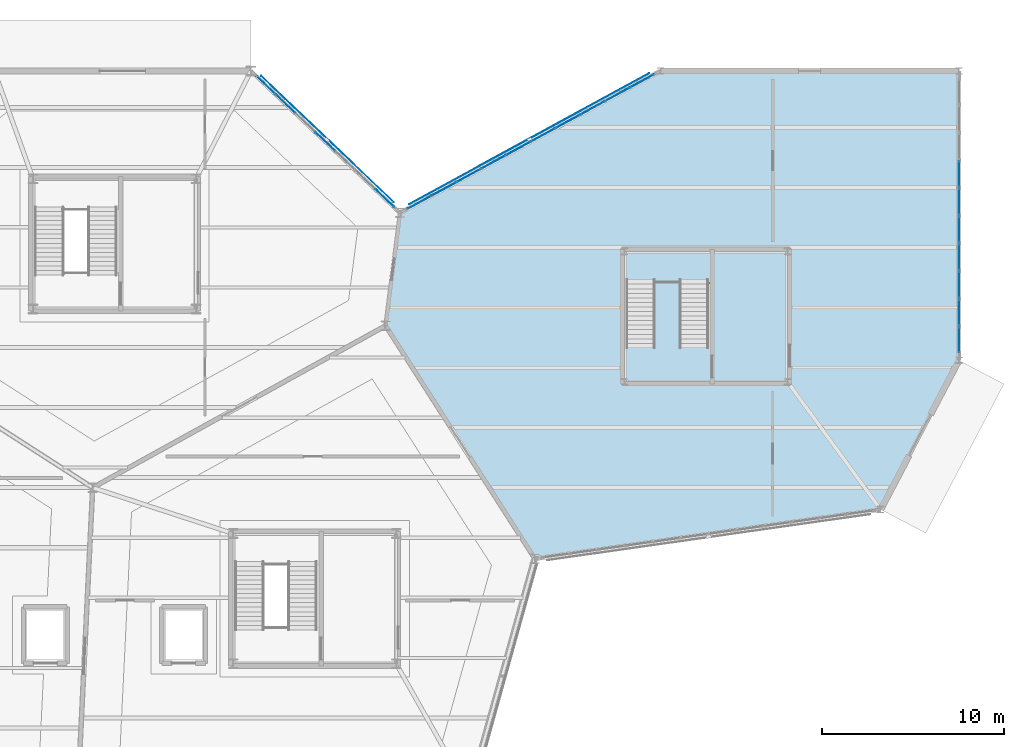
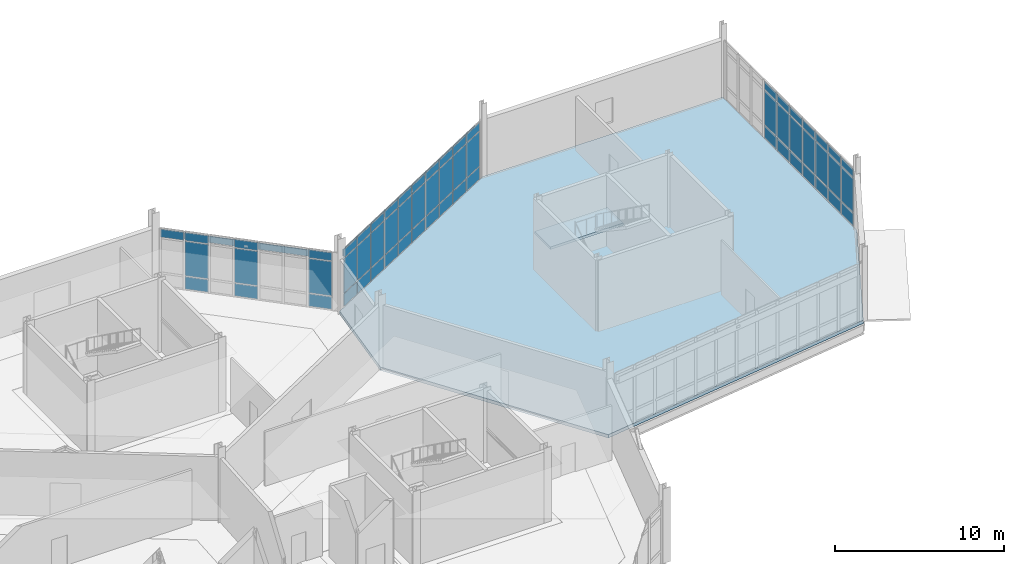
# One storey, part 83 of 113: 63 plates, 2 slabs, 4 elements without a shape of their own.
"""IFC4 building model written with IfcOpenShell, lengths in metres."""

from ifc_helpers import new_model, si_unit, direction, frame, origin, origin_2d, place, context, subcontext, project, spatial, polyline, rectangle, outline, extrude, material, layer, layer_set, type_object, element, aggregate, save


model = new_model("IFC4")

# Units and contexts
model_context = context("Model", 3, precision=1e-05, world=origin(), true_north=direction((0.0, 1.0)))
body_context = subcontext(model_context, "Body", "Model", "MODEL_VIEW")
ifc_project = project(units=[si_unit("LENGTHUNIT", "METRE"), si_unit("AREAUNIT", "SQUARE_METRE"), si_unit("VOLUMEUNIT", "CUBIC_METRE"), si_unit("PLANEANGLEUNIT", "RADIAN"), si_unit("MASSUNIT", "GRAM", prefix="KILO")], contexts=[model_context])

# Site, building, storey
site_placement = place(None, origin())
site = spatial("IfcSite", under=ifc_project, at=site_placement, CompositionType="ELEMENT")
building_placement = place(site_placement, origin())
building = spatial("IfcBuilding", under=site, at=building_placement, Name="Tameran Prism Museum", CompositionType="ELEMENT")
storey_placement = place(building_placement, origin())
storey = spatial("IfcBuildingStorey", under=building, at=storey_placement, Name="L00", CompositionType="ELEMENT", Elevation=0.0)

# Curtain wall, plates
ifc_material_1 = material(Name="Anodised Aluminium 6063-T6 and Cyclone Solar Glass", Category="aluminium")
curtain_wall_type_1 = type_object("IfcCurtainWallType", Name="CW-FAC-1520x422", PredefinedType="USERDEFINED", material=ifc_material_1)
curtain_wall_1_placement = place(storey_placement, origin())
curtain_wall_1 = element("IfcCurtainWall", 1, at=curtain_wall_1_placement, inside=storey, type_object=curtain_wall_type_1, Name="Unitised Curtain Wall CW-026", ObjectType="UNITISED CURTAIN WALL", PredefinedType="USERDEFINED")
ifc_material_2 = material(Name="Low-E Laminated Solar Glass", Category="glass")
ifc_layer_1 = layer(ifc_material_2, 0.028076171875)
ifc_layer_set_1 = layer_set([ifc_layer_1])
plate_type_1 = type_object("IfcPlateType", Name="CW-PNL-G28", PredefinedType="CURTAIN_PANEL", material=ifc_layer_set_1)
plate_1_placement = place(storey_placement, frame((166.39990234375, 106.330078125, 0.080078125), z_axis=(0.0, 0.0, 1.0), x_axis=(0.0, -1.0, 0.0)))
plate_1 = element("IfcPlate", 2, at=plate_1_placement, type_object=plate_type_1, Name="CW-026 panel 4.1", PredefinedType="CURTAIN_PANEL", context=body_context, shape_type="SweptSolid", body=[
    extrude(rectangle(XDim=1.43994140625, YDim=0.028076171875, at=origin_2d()), origin(), (0.0, 0.0, 1.0), 0.8798828125),
])
plate_2_placement = place(storey_placement, frame((166.39990234375, 106.330078125, 1.0400390625), z_axis=(0.0, 0.0, 1.0), x_axis=(0.0, -1.0, 0.0)))
plate_2 = element("IfcPlate", 3, at=plate_2_placement, type_object=plate_type_1, Name="CW-026 panel 4.2", PredefinedType="CURTAIN_PANEL", context=body_context, shape_type="SweptSolid", body=[
    extrude(rectangle(XDim=1.43994140625, YDim=0.028076171875, at=origin_2d()), origin(), (0.0, 0.0, 1.0), 2.4599609375),
])
plate_3_placement = place(storey_placement, frame((166.39990234375, 106.330078125, 3.580078125), z_axis=(0.0, 0.0, 1.0), x_axis=(0.0, -1.0, 0.0)))
plate_3 = element("IfcPlate", 4, at=plate_3_placement, type_object=plate_type_1, Name="CW-026 panel 4.3", PredefinedType="CURTAIN_PANEL", context=body_context, shape_type="SweptSolid", body=[
    extrude(rectangle(XDim=1.43994140625, YDim=0.028076171875, at=origin_2d()), origin(), (0.0, 0.0, 1.0), 0.56005859375),
])
plate_4_placement = place(storey_placement, frame((166.39990234375, 104.81005859375, 0.080078125), z_axis=(0.0, 0.0, 1.0), x_axis=(0.0, -1.0, 0.0)))
plate_4 = element("IfcPlate", 5, at=plate_4_placement, type_object=plate_type_1, Name="CW-026 panel 5.1", PredefinedType="CURTAIN_PANEL", context=body_context, shape_type="SweptSolid", body=[
    extrude(rectangle(XDim=1.43994140625, YDim=0.028076171875, at=origin_2d()), origin(), (0.0, 0.0, 1.0), 0.8798828125),
])
plate_5_placement = place(storey_placement, frame((166.39990234375, 104.81005859375, 1.0400390625), z_axis=(0.0, 0.0, 1.0), x_axis=(0.0, -1.0, 0.0)))
plate_5 = element("IfcPlate", 6, at=plate_5_placement, type_object=plate_type_1, Name="CW-026 panel 5.2", PredefinedType="CURTAIN_PANEL", context=body_context, shape_type="SweptSolid", body=[
    extrude(rectangle(XDim=1.43994140625, YDim=0.028076171875, at=origin_2d()), origin(), (0.0, 0.0, 1.0), 2.4599609375),
])
plate_6_placement = place(storey_placement, frame((166.39990234375, 104.81005859375, 3.580078125), z_axis=(0.0, 0.0, 1.0), x_axis=(0.0, -1.0, 0.0)))
plate_6 = element("IfcPlate", 7, at=plate_6_placement, type_object=plate_type_1, Name="CW-026 panel 5.3", PredefinedType="CURTAIN_PANEL", context=body_context, shape_type="SweptSolid", body=[
    extrude(rectangle(XDim=1.43994140625, YDim=0.028076171875, at=origin_2d()), origin(), (0.0, 0.0, 1.0), 0.56005859375),
])
plate_7_placement = place(storey_placement, frame((166.39990234375, 103.2900390625, 0.080078125), z_axis=(0.0, 0.0, 1.0), x_axis=(0.0, -1.0, 0.0)))
plate_7 = element("IfcPlate", 8, at=plate_7_placement, type_object=plate_type_1, Name="CW-026 panel 6.1", PredefinedType="CURTAIN_PANEL", context=body_context, shape_type="SweptSolid", body=[
    extrude(rectangle(XDim=1.43994140625, YDim=0.028076171875, at=origin_2d()), origin(), (0.0, 0.0, 1.0), 0.8798828125),
])
plate_8_placement = place(storey_placement, frame((166.39990234375, 103.2900390625, 1.0400390625), z_axis=(0.0, 0.0, 1.0), x_axis=(0.0, -1.0, 0.0)))
plate_8 = element("IfcPlate", 9, at=plate_8_placement, type_object=plate_type_1, Name="CW-026 panel 6.2", PredefinedType="CURTAIN_PANEL", context=body_context, shape_type="SweptSolid", body=[
    extrude(rectangle(XDim=1.43994140625, YDim=0.028076171875, at=origin_2d()), origin(), (0.0, 0.0, 1.0), 2.4599609375),
])
plate_9_placement = place(storey_placement, frame((166.39990234375, 103.2900390625, 3.580078125), z_axis=(0.0, 0.0, 1.0), x_axis=(0.0, -1.0, 0.0)))
plate_9 = element("IfcPlate", 10, at=plate_9_placement, type_object=plate_type_1, Name="CW-026 panel 6.3", PredefinedType="CURTAIN_PANEL", context=body_context, shape_type="SweptSolid", body=[
    extrude(rectangle(XDim=1.43994140625, YDim=0.028076171875, at=origin_2d()), origin(), (0.0, 0.0, 1.0), 0.56005859375),
])
plate_10_placement = place(storey_placement, frame((166.39990234375, 101.77001953125, 0.080078125), z_axis=(0.0, 0.0, 1.0), x_axis=(0.0, -1.0, 0.0)))
plate_10 = element("IfcPlate", 11, at=plate_10_placement, type_object=plate_type_1, Name="CW-026 panel 7.1", PredefinedType="CURTAIN_PANEL", context=body_context, shape_type="SweptSolid", body=[
    extrude(rectangle(XDim=1.43994140625, YDim=0.028076171875, at=origin_2d()), origin(), (0.0, 0.0, 1.0), 0.8798828125),
])
plate_11_placement = place(storey_placement, frame((166.39990234375, 101.77001953125, 1.0400390625), z_axis=(0.0, 0.0, 1.0), x_axis=(0.0, -1.0, 0.0)))
plate_11 = element("IfcPlate", 12, at=plate_11_placement, type_object=plate_type_1, Name="CW-026 panel 7.2", PredefinedType="CURTAIN_PANEL", context=body_context, shape_type="SweptSolid", body=[
    extrude(rectangle(XDim=1.43994140625, YDim=0.028076171875, at=origin_2d()), origin(), (0.0, 0.0, 1.0), 2.4599609375),
])
plate_12_placement = place(storey_placement, frame((166.39990234375, 101.77001953125, 3.580078125), z_axis=(0.0, 0.0, 1.0), x_axis=(0.0, -1.0, 0.0)))
plate_12 = element("IfcPlate", 13, at=plate_12_placement, type_object=plate_type_1, Name="CW-026 panel 7.3", PredefinedType="CURTAIN_PANEL", context=body_context, shape_type="SweptSolid", body=[
    extrude(rectangle(XDim=1.43994140625, YDim=0.028076171875, at=origin_2d()), origin(), (0.0, 0.0, 1.0), 0.56005859375),
])
plate_13_placement = place(storey_placement, frame((166.39990234375, 100.25, 0.080078125), z_axis=(0.0, 0.0, 1.0), x_axis=(0.0, -1.0, 0.0)))
plate_13 = element("IfcPlate", 14, at=plate_13_placement, type_object=plate_type_1, Name="CW-026 panel 8.1", PredefinedType="CURTAIN_PANEL", context=body_context, shape_type="SweptSolid", body=[
    extrude(rectangle(XDim=1.43994140625, YDim=0.028076171875, at=origin_2d()), origin(), (0.0, 0.0, 1.0), 0.8798828125),
])
plate_14_placement = place(storey_placement, frame((166.39990234375, 100.25, 1.0400390625), z_axis=(0.0, 0.0, 1.0), x_axis=(0.0, -1.0, 0.0)))
plate_14 = element("IfcPlate", 15, at=plate_14_placement, type_object=plate_type_1, Name="CW-026 panel 8.2", PredefinedType="CURTAIN_PANEL", context=body_context, shape_type="SweptSolid", body=[
    extrude(rectangle(XDim=1.43994140625, YDim=0.028076171875, at=origin_2d()), origin(), (0.0, 0.0, 1.0), 2.4599609375),
])
plate_15_placement = place(storey_placement, frame((166.39990234375, 100.25, 3.580078125), z_axis=(0.0, 0.0, 1.0), x_axis=(0.0, -1.0, 0.0)))
plate_15 = element("IfcPlate", 16, at=plate_15_placement, type_object=plate_type_1, Name="CW-026 panel 8.3", PredefinedType="CURTAIN_PANEL", context=body_context, shape_type="SweptSolid", body=[
    extrude(rectangle(XDim=1.43994140625, YDim=0.028076171875, at=origin_2d()), origin(), (0.0, 0.0, 1.0), 0.56005859375),
])
plate_16_placement = place(storey_placement, frame((166.39990234375, 98.72998046875, 0.080078125), z_axis=(0.0, 0.0, 1.0), x_axis=(0.0, -1.0, 0.0)))
plate_16 = element("IfcPlate", 17, at=plate_16_placement, type_object=plate_type_1, Name="CW-026 panel 9.1", PredefinedType="CURTAIN_PANEL", context=body_context, shape_type="SweptSolid", body=[
    extrude(rectangle(XDim=1.43994140625, YDim=0.028076171875, at=origin_2d()), origin(), (0.0, 0.0, 1.0), 0.8798828125),
])
plate_17_placement = place(storey_placement, frame((166.39990234375, 98.72998046875, 1.0400390625), z_axis=(0.0, 0.0, 1.0), x_axis=(0.0, -1.0, 0.0)))
plate_17 = element("IfcPlate", 18, at=plate_17_placement, type_object=plate_type_1, Name="CW-026 panel 9.2", PredefinedType="CURTAIN_PANEL", context=body_context, shape_type="SweptSolid", body=[
    extrude(rectangle(XDim=1.43994140625, YDim=0.028076171875, at=origin_2d()), origin(), (0.0, 0.0, 1.0), 2.4599609375),
])
plate_18_placement = place(storey_placement, frame((166.39990234375, 98.72998046875, 3.580078125), z_axis=(0.0, 0.0, 1.0), x_axis=(0.0, -1.0, 0.0)))
plate_18 = element("IfcPlate", 19, at=plate_18_placement, type_object=plate_type_1, Name="CW-026 panel 9.3", PredefinedType="CURTAIN_PANEL", context=body_context, shape_type="SweptSolid", body=[
    extrude(rectangle(XDim=1.43994140625, YDim=0.028076171875, at=origin_2d()), origin(), (0.0, 0.0, 1.0), 0.56005859375),
])
plate_19_placement = place(storey_placement, frame((166.39990234375, 97.22998046875, 0.080078125), z_axis=(0.0, 0.0, 1.0), x_axis=(0.0, -1.0, 0.0)))
plate_19 = element("IfcPlate", 20, at=plate_19_placement, type_object=plate_type_1, Name="CW-026 panel 10.1", PredefinedType="CURTAIN_PANEL", context=body_context, shape_type="SweptSolid", body=[
    extrude(rectangle(XDim=1.39990234375, YDim=0.028076171875, at=origin_2d()), origin(), (0.0, 0.0, 1.0), 0.8798828125),
])
plate_20_placement = place(storey_placement, frame((166.39990234375, 97.22998046875, 1.0400390625), z_axis=(0.0, 0.0, 1.0), x_axis=(0.0, -1.0, 0.0)))
plate_20 = element("IfcPlate", 21, at=plate_20_placement, type_object=plate_type_1, Name="CW-026 panel 10.2", PredefinedType="CURTAIN_PANEL", context=body_context, shape_type="SweptSolid", body=[
    extrude(rectangle(XDim=1.39990234375, YDim=0.028076171875, at=origin_2d()), origin(), (0.0, 0.0, 1.0), 2.4599609375),
])
plate_21_placement = place(storey_placement, frame((166.39990234375, 97.22998046875, 3.580078125), z_axis=(0.0, 0.0, 1.0), x_axis=(0.0, -1.0, 0.0)))
plate_21 = element("IfcPlate", 22, at=plate_21_placement, type_object=plate_type_1, Name="CW-026 panel 10.3", PredefinedType="CURTAIN_PANEL", context=body_context, shape_type="SweptSolid", body=[
    extrude(rectangle(XDim=1.39990234375, YDim=0.028076171875, at=origin_2d()), origin(), (0.0, 0.0, 1.0), 0.56005859375),
])
aggregate(curtain_wall_1, [plate_1, plate_2, plate_3, plate_4, plate_5, plate_6, plate_7, plate_8, plate_9, plate_10, plate_11, plate_12, plate_13, plate_14, plate_15, plate_16, plate_17, plate_18, plate_19, plate_20, plate_21])

ifc_material_3 = material(Name="Anodised Aluminium 6063-T6 and Cyclone Solar Glass", Category="aluminium")
curtain_wall_type_2 = type_object("IfcCurtainWallType", Name="CW-FAC-1056x422", PredefinedType="USERDEFINED", material=ifc_material_3)
curtain_wall_2_placement = place(storey_placement, origin())
curtain_wall_2 = element("IfcCurtainWall", 23, at=curtain_wall_2_placement, inside=storey, type_object=curtain_wall_type_2, Name="Unitised Curtain Wall CW-023", ObjectType="UNITISED CURTAIN WALL", PredefinedType="USERDEFINED")
ifc_material_4 = material(Name="Cyclone Laminated Solar Glass", Category="glass")
ifc_layer_2 = layer(ifc_material_4, 0.031982421875)
ifc_layer_set_2 = layer_set([ifc_layer_2])
plate_type_2 = type_object("IfcPlateType", Name="CW-PNL-G32", PredefinedType="CURTAIN_PANEL", material=ifc_layer_set_2)
plate_22_placement = place(storey_placement, frame((128.31201171875, 111.22802734375, 3.572509765625), z_axis=(0.0, 0.0, 1.0), x_axis=(0.724504990922, -0.689269554042, 0.0)))
plate_22 = element("IfcPlate", 24, at=plate_22_placement, type_object=plate_type_2, Name="CW-023 panel 1.3", PredefinedType="CURTAIN_PANEL", context=body_context, shape_type="SweptSolid", body=[
    extrude(rectangle(XDim=1.41064453125, YDim=0.031982421875, at=origin_2d()), origin(), (0.0, 0.0, 1.0), 0.58251953125),
])
plate_23_placement = place(storey_placement, frame((129.39306640625, 110.19970703125, 0.06494140625), z_axis=(0.0, 0.0, 1.0), x_axis=(0.724504990922, -0.689269554042, 0.0)))
plate_23 = element("IfcPlate", 25, at=plate_23_placement, type_object=plate_type_2, Name="CW-023 panel 2.1", PredefinedType="CURTAIN_PANEL", context=body_context, shape_type="SweptSolid", body=[
    extrude(rectangle(XDim=1.443115234375, YDim=0.031982421875, at=origin_2d()), origin(), (0.0, 0.0, 1.0), 0.902587890625),
])
plate_24_placement = place(storey_placement, frame((129.39306640625, 110.19970703125, 1.032470703125), z_axis=(0.0, 0.0, 1.0), x_axis=(0.724504990922, -0.689269554042, 0.0)))
plate_24 = element("IfcPlate", 26, at=plate_24_placement, type_object=plate_type_2, Name="CW-023 panel 2.2", PredefinedType="CURTAIN_PANEL", context=body_context, shape_type="SweptSolid", body=[
    extrude(rectangle(XDim=1.443115234375, YDim=0.031982421875, at=origin_2d()), origin(), (0.0, 0.0, 1.0), 2.47509765625),
])
plate_25_placement = place(storey_placement, frame((129.39306640625, 110.19970703125, 3.572509765625), z_axis=(0.0, 0.0, 1.0), x_axis=(0.724504990922, -0.689269554042, 0.0)))
plate_25 = element("IfcPlate", 27, at=plate_25_placement, type_object=plate_type_2, Name="CW-023 panel 2.3", PredefinedType="CURTAIN_PANEL", context=body_context, shape_type="SweptSolid", body=[
    extrude(rectangle(XDim=1.443115234375, YDim=0.031982421875, at=origin_2d()), origin(), (0.0, 0.0, 1.0), 0.58251953125),
])
plate_26_placement = place(storey_placement, frame((131.57861328125, 108.12060546875, 0.06494140625), z_axis=(0.0, 0.0, 1.0), x_axis=(0.724504990922, -0.689269554042, 0.0)))
plate_26 = element("IfcPlate", 28, at=plate_26_placement, type_object=plate_type_2, Name="CW-023 panel 4.1", PredefinedType="CURTAIN_PANEL", context=body_context, shape_type="SweptSolid", body=[
    extrude(rectangle(XDim=1.443115234375, YDim=0.031982421875, at=origin_2d()), origin(), (0.0, 0.0, 1.0), 0.902587890625),
])
plate_27_placement = place(storey_placement, frame((131.57861328125, 108.12060546875, 1.032470703125), z_axis=(0.0, 0.0, 1.0), x_axis=(0.724504990922, -0.689269554042, 0.0)))
plate_27 = element("IfcPlate", 29, at=plate_27_placement, type_object=plate_type_2, Name="CW-023 panel 4.2", PredefinedType="CURTAIN_PANEL", context=body_context, shape_type="SweptSolid", body=[
    extrude(rectangle(XDim=1.443115234375, YDim=0.031982421875, at=origin_2d()), origin(), (0.0, 0.0, 1.0), 2.47509765625),
])
plate_28_placement = place(storey_placement, frame((131.57861328125, 108.12060546875, 3.572509765625), z_axis=(0.0, 0.0, 1.0), x_axis=(0.724504990922, -0.689269554042, 0.0)))
plate_28 = element("IfcPlate", 30, at=plate_28_placement, type_object=plate_type_2, Name="CW-023 panel 4.3", PredefinedType="CURTAIN_PANEL", context=body_context, shape_type="SweptSolid", body=[
    extrude(rectangle(XDim=1.443115234375, YDim=0.031982421875, at=origin_2d()), origin(), (0.0, 0.0, 1.0), 0.58251953125),
])
plate_29_placement = place(storey_placement, frame((134.844970703125, 105.012939453125, 0.06494140625), z_axis=(0.0, 0.0, 1.0), x_axis=(0.724504990922, -0.689269554042, 0.0)))
plate_29 = element("IfcPlate", 31, at=plate_29_placement, type_object=plate_type_2, Name="CW-023 panel 7.1", PredefinedType="CURTAIN_PANEL", context=body_context, shape_type="SweptSolid", body=[
    extrude(rectangle(XDim=1.41064453125, YDim=0.031982421875, at=origin_2d()), origin(), (0.0, 0.0, 1.0), 0.902587890625),
])
plate_30_placement = place(storey_placement, frame((134.844970703125, 105.012939453125, 1.032470703125), z_axis=(0.0, 0.0, 1.0), x_axis=(0.724504990922, -0.689269554042, 0.0)))
plate_30 = element("IfcPlate", 32, at=plate_30_placement, type_object=plate_type_2, Name="CW-023 panel 7.2", PredefinedType="CURTAIN_PANEL", context=body_context, shape_type="SweptSolid", body=[
    extrude(rectangle(XDim=1.41064453125, YDim=0.031982421875, at=origin_2d()), origin(), (0.0, 0.0, 1.0), 2.47509765625),
])
plate_31_placement = place(storey_placement, frame((134.844970703125, 105.012939453125, 3.572509765625), z_axis=(0.0, 0.0, 1.0), x_axis=(0.724504990922, -0.689269554042, 0.0)))
plate_31 = element("IfcPlate", 33, at=plate_31_placement, type_object=plate_type_2, Name="CW-023 panel 7.3", PredefinedType="CURTAIN_PANEL", context=body_context, shape_type="SweptSolid", body=[
    extrude(rectangle(XDim=1.41064453125, YDim=0.031982421875, at=origin_2d()), origin(), (0.0, 0.0, 1.0), 0.58251953125),
])
aggregate(curtain_wall_2, [plate_22, plate_23, plate_24, plate_25, plate_26, plate_27, plate_28, plate_29, plate_30, plate_31])

ifc_material_5 = material(Name="Anodised Aluminium 6063-T6 and Cyclone Solar Glass", Category="aluminium")
curtain_wall_type_3 = type_object("IfcCurtainWallType", Name="CW-FAC-1553x422", PredefinedType="USERDEFINED", material=ifc_material_5)
curtain_wall_3_placement = place(storey_placement, origin())
curtain_wall_3 = element("IfcCurtainWall", 34, at=curtain_wall_3_placement, inside=storey, type_object=curtain_wall_type_3, Name="Unitised Curtain Wall CW-027", ObjectType="UNITISED CURTAIN WALL", PredefinedType="USERDEFINED")
plate_32_placement = place(storey_placement, frame((136.755859375, 104.776611328125, 0.06494140625), z_axis=(0.0, 0.0, 1.0), x_axis=(0.877927564486, 0.478793474805, 0.0)))
plate_32 = element("IfcPlate", 35, at=plate_32_placement, type_object=plate_type_2, Name="CW-027 panel 1.1", PredefinedType="CURTAIN_PANEL", context=body_context, shape_type="SweptSolid", body=[
    extrude(rectangle(XDim=1.455322265625, YDim=0.031982421875, at=origin_2d()), origin(), (0.0, 0.0, 1.0), 0.902587890625),
])
plate_33_placement = place(storey_placement, frame((136.755859375, 104.776611328125, 1.032470703125), z_axis=(0.0, 0.0, 1.0), x_axis=(0.877927564486, 0.478793474805, 0.0)))
plate_33 = element("IfcPlate", 36, at=plate_33_placement, type_object=plate_type_2, Name="CW-027 panel 1.2", PredefinedType="CURTAIN_PANEL", context=body_context, shape_type="SweptSolid", body=[
    extrude(rectangle(XDim=1.455322265625, YDim=0.031982421875, at=origin_2d()), origin(), (0.0, 0.0, 1.0), 2.47509765625),
])
plate_34_placement = place(storey_placement, frame((136.755859375, 104.776611328125, 3.572509765625), z_axis=(0.0, 0.0, 1.0), x_axis=(0.877927564486, 0.478793474805, 0.0)))
plate_34 = element("IfcPlate", 37, at=plate_34_placement, type_object=plate_type_2, Name="CW-027 panel 1.3", PredefinedType="CURTAIN_PANEL", context=body_context, shape_type="SweptSolid", body=[
    extrude(rectangle(XDim=1.455322265625, YDim=0.031982421875, at=origin_2d()), origin(), (0.0, 0.0, 1.0), 0.58251953125),
])
plate_35_placement = place(storey_placement, frame((138.10498046875, 105.51220703125, 0.06494140625), z_axis=(0.0, 0.0, 1.0), x_axis=(0.877927564486, 0.478793474805, 0.0)))
plate_35 = element("IfcPlate", 38, at=plate_35_placement, type_object=plate_type_2, Name="CW-027 panel 2.1", PredefinedType="CURTAIN_PANEL", context=body_context, shape_type="SweptSolid", body=[
    extrude(rectangle(XDim=1.48779296875, YDim=0.031982421875, at=origin_2d()), origin(), (0.0, 0.0, 1.0), 0.902587890625),
])
plate_36_placement = place(storey_placement, frame((138.10498046875, 105.51220703125, 1.032470703125), z_axis=(0.0, 0.0, 1.0), x_axis=(0.877927564486, 0.478793474805, 0.0)))
plate_36 = element("IfcPlate", 39, at=plate_36_placement, type_object=plate_type_2, Name="CW-027 panel 2.2", PredefinedType="CURTAIN_PANEL", context=body_context, shape_type="SweptSolid", body=[
    extrude(rectangle(XDim=1.48779296875, YDim=0.031982421875, at=origin_2d()), origin(), (0.0, 0.0, 1.0), 2.47509765625),
])
plate_37_placement = place(storey_placement, frame((138.10498046875, 105.51220703125, 3.572509765625), z_axis=(0.0, 0.0, 1.0), x_axis=(0.877927564486, 0.478793474805, 0.0)))
plate_37 = element("IfcPlate", 40, at=plate_37_placement, type_object=plate_type_2, Name="CW-027 panel 2.3", PredefinedType="CURTAIN_PANEL", context=body_context, shape_type="SweptSolid", body=[
    extrude(rectangle(XDim=1.48779296875, YDim=0.031982421875, at=origin_2d()), origin(), (0.0, 0.0, 1.0), 0.58251953125),
])
plate_38_placement = place(storey_placement, frame((139.46826171875, 106.255859375, 0.06494140625), z_axis=(0.0, 0.0, 1.0), x_axis=(0.877927564486, 0.478793474805, 0.0)))
plate_38 = element("IfcPlate", 41, at=plate_38_placement, type_object=plate_type_2, Name="CW-027 panel 3.1", PredefinedType="CURTAIN_PANEL", context=body_context, shape_type="SweptSolid", body=[
    extrude(rectangle(XDim=1.48779296875, YDim=0.031982421875, at=origin_2d()), origin(), (0.0, 0.0, 1.0), 0.902587890625),
])
plate_39_placement = place(storey_placement, frame((139.46826171875, 106.255859375, 1.032470703125), z_axis=(0.0, 0.0, 1.0), x_axis=(0.877927564486, 0.478793474805, 0.0)))
plate_39 = element("IfcPlate", 42, at=plate_39_placement, type_object=plate_type_2, Name="CW-027 panel 3.2", PredefinedType="CURTAIN_PANEL", context=body_context, shape_type="SweptSolid", body=[
    extrude(rectangle(XDim=1.48779296875, YDim=0.031982421875, at=origin_2d()), origin(), (0.0, 0.0, 1.0), 2.47509765625),
])
plate_40_placement = place(storey_placement, frame((139.46826171875, 106.255859375, 3.572509765625), z_axis=(0.0, 0.0, 1.0), x_axis=(0.877927564486, 0.478793474805, 0.0)))
plate_40 = element("IfcPlate", 43, at=plate_40_placement, type_object=plate_type_2, Name="CW-027 panel 3.3", PredefinedType="CURTAIN_PANEL", context=body_context, shape_type="SweptSolid", body=[
    extrude(rectangle(XDim=1.48779296875, YDim=0.031982421875, at=origin_2d()), origin(), (0.0, 0.0, 1.0), 0.58251953125),
])
plate_41_placement = place(storey_placement, frame((140.83154296875, 106.999267578125, 0.06494140625), z_axis=(0.0, 0.0, 1.0), x_axis=(0.877927564486, 0.478793474805, 0.0)))
plate_41 = element("IfcPlate", 44, at=plate_41_placement, type_object=plate_type_2, Name="CW-027 panel 4.1", PredefinedType="CURTAIN_PANEL", context=body_context, shape_type="SweptSolid", body=[
    extrude(rectangle(XDim=1.48779296875, YDim=0.031982421875, at=origin_2d()), origin(), (0.0, 0.0, 1.0), 0.902587890625),
])
plate_42_placement = place(storey_placement, frame((140.83154296875, 106.999267578125, 1.032470703125), z_axis=(0.0, 0.0, 1.0), x_axis=(0.877927564486, 0.478793474805, 0.0)))
plate_42 = element("IfcPlate", 45, at=plate_42_placement, type_object=plate_type_2, Name="CW-027 panel 4.2", PredefinedType="CURTAIN_PANEL", context=body_context, shape_type="SweptSolid", body=[
    extrude(rectangle(XDim=1.48779296875, YDim=0.031982421875, at=origin_2d()), origin(), (0.0, 0.0, 1.0), 2.47509765625),
])
plate_43_placement = place(storey_placement, frame((140.83154296875, 106.999267578125, 3.572509765625), z_axis=(0.0, 0.0, 1.0), x_axis=(0.877927564486, 0.478793474805, 0.0)))
plate_43 = element("IfcPlate", 46, at=plate_43_placement, type_object=plate_type_2, Name="CW-027 panel 4.3", PredefinedType="CURTAIN_PANEL", context=body_context, shape_type="SweptSolid", body=[
    extrude(rectangle(XDim=1.48779296875, YDim=0.031982421875, at=origin_2d()), origin(), (0.0, 0.0, 1.0), 0.58251953125),
])
plate_44_placement = place(storey_placement, frame((142.19482421875, 107.74267578125, 0.06494140625), z_axis=(0.0, 0.0, 1.0), x_axis=(0.877927564486, 0.478793474805, 0.0)))
plate_44 = element("IfcPlate", 47, at=plate_44_placement, type_object=plate_type_2, Name="CW-027 panel 5.1", PredefinedType="CURTAIN_PANEL", context=body_context, shape_type="SweptSolid", body=[
    extrude(rectangle(XDim=1.48779296875, YDim=0.031982421875, at=origin_2d()), origin(), (0.0, 0.0, 1.0), 0.902587890625),
])
plate_45_placement = place(storey_placement, frame((142.19482421875, 107.74267578125, 1.032470703125), z_axis=(0.0, 0.0, 1.0), x_axis=(0.877927564486, 0.478793474805, 0.0)))
plate_45 = element("IfcPlate", 48, at=plate_45_placement, type_object=plate_type_2, Name="CW-027 panel 5.2", PredefinedType="CURTAIN_PANEL", context=body_context, shape_type="SweptSolid", body=[
    extrude(rectangle(XDim=1.48779296875, YDim=0.031982421875, at=origin_2d()), origin(), (0.0, 0.0, 1.0), 2.47509765625),
])
plate_46_placement = place(storey_placement, frame((142.19482421875, 107.74267578125, 3.572509765625), z_axis=(0.0, 0.0, 1.0), x_axis=(0.877927564486, 0.478793474805, 0.0)))
plate_46 = element("IfcPlate", 49, at=plate_46_placement, type_object=plate_type_2, Name="CW-027 panel 5.3", PredefinedType="CURTAIN_PANEL", context=body_context, shape_type="SweptSolid", body=[
    extrude(rectangle(XDim=1.48779296875, YDim=0.031982421875, at=origin_2d()), origin(), (0.0, 0.0, 1.0), 0.58251953125),
])
plate_47_placement = place(storey_placement, frame((143.55810546875, 108.486328125, 0.06494140625), z_axis=(0.0, 0.0, 1.0), x_axis=(0.877927564486, 0.478793474805, 0.0)))
plate_47 = element("IfcPlate", 50, at=plate_47_placement, type_object=plate_type_2, Name="CW-027 panel 6.1", PredefinedType="CURTAIN_PANEL", context=body_context, shape_type="SweptSolid", body=[
    extrude(rectangle(XDim=1.48779296875, YDim=0.031982421875, at=origin_2d()), origin(), (0.0, 0.0, 1.0), 0.902587890625),
])
plate_48_placement = place(storey_placement, frame((143.55810546875, 108.486328125, 1.032470703125), z_axis=(0.0, 0.0, 1.0), x_axis=(0.877927564486, 0.478793474805, 0.0)))
plate_48 = element("IfcPlate", 51, at=plate_48_placement, type_object=plate_type_2, Name="CW-027 panel 6.2", PredefinedType="CURTAIN_PANEL", context=body_context, shape_type="SweptSolid", body=[
    extrude(rectangle(XDim=1.48779296875, YDim=0.031982421875, at=origin_2d()), origin(), (0.0, 0.0, 1.0), 2.47509765625),
])
plate_49_placement = place(storey_placement, frame((143.55810546875, 108.486328125, 3.572509765625), z_axis=(0.0, 0.0, 1.0), x_axis=(0.877927564486, 0.478793474805, 0.0)))
plate_49 = element("IfcPlate", 52, at=plate_49_placement, type_object=plate_type_2, Name="CW-027 panel 6.3", PredefinedType="CURTAIN_PANEL", context=body_context, shape_type="SweptSolid", body=[
    extrude(rectangle(XDim=1.48779296875, YDim=0.031982421875, at=origin_2d()), origin(), (0.0, 0.0, 1.0), 0.58251953125),
])
plate_50_placement = place(storey_placement, frame((144.92138671875, 109.229736328125, 0.06494140625), z_axis=(0.0, 0.0, 1.0), x_axis=(0.877927564486, 0.478793474805, 0.0)))
plate_50 = element("IfcPlate", 53, at=plate_50_placement, type_object=plate_type_2, Name="CW-027 panel 7.1", PredefinedType="CURTAIN_PANEL", context=body_context, shape_type="SweptSolid", body=[
    extrude(rectangle(XDim=1.48779296875, YDim=0.031982421875, at=origin_2d()), origin(), (0.0, 0.0, 1.0), 0.902587890625),
])
plate_51_placement = place(storey_placement, frame((144.92138671875, 109.229736328125, 1.032470703125), z_axis=(0.0, 0.0, 1.0), x_axis=(0.877927564486, 0.478793474805, 0.0)))
plate_51 = element("IfcPlate", 54, at=plate_51_placement, type_object=plate_type_2, Name="CW-027 panel 7.2", PredefinedType="CURTAIN_PANEL", context=body_context, shape_type="SweptSolid", body=[
    extrude(rectangle(XDim=1.48779296875, YDim=0.031982421875, at=origin_2d()), origin(), (0.0, 0.0, 1.0), 2.47509765625),
])
plate_52_placement = place(storey_placement, frame((144.92138671875, 109.229736328125, 3.572509765625), z_axis=(0.0, 0.0, 1.0), x_axis=(0.877927564486, 0.478793474805, 0.0)))
plate_52 = element("IfcPlate", 55, at=plate_52_placement, type_object=plate_type_2, Name="CW-027 panel 7.3", PredefinedType="CURTAIN_PANEL", context=body_context, shape_type="SweptSolid", body=[
    extrude(rectangle(XDim=1.48779296875, YDim=0.031982421875, at=origin_2d()), origin(), (0.0, 0.0, 1.0), 0.58251953125),
])
plate_53_placement = place(storey_placement, frame((146.28466796875, 109.97314453125, 0.06494140625), z_axis=(0.0, 0.0, 1.0), x_axis=(0.877927564486, 0.478793474805, 0.0)))
plate_53 = element("IfcPlate", 56, at=plate_53_placement, type_object=plate_type_2, Name="CW-027 panel 8.1", PredefinedType="CURTAIN_PANEL", context=body_context, shape_type="SweptSolid", body=[
    extrude(rectangle(XDim=1.48779296875, YDim=0.031982421875, at=origin_2d()), origin(), (0.0, 0.0, 1.0), 0.902587890625),
])
plate_54_placement = place(storey_placement, frame((146.28466796875, 109.97314453125, 1.032470703125), z_axis=(0.0, 0.0, 1.0), x_axis=(0.877927564486, 0.478793474805, 0.0)))
plate_54 = element("IfcPlate", 57, at=plate_54_placement, type_object=plate_type_2, Name="CW-027 panel 8.2", PredefinedType="CURTAIN_PANEL", context=body_context, shape_type="SweptSolid", body=[
    extrude(rectangle(XDim=1.48779296875, YDim=0.031982421875, at=origin_2d()), origin(), (0.0, 0.0, 1.0), 2.47509765625),
])
plate_55_placement = place(storey_placement, frame((146.28466796875, 109.97314453125, 3.572509765625), z_axis=(0.0, 0.0, 1.0), x_axis=(0.877927564486, 0.478793474805, 0.0)))
plate_55 = element("IfcPlate", 58, at=plate_55_placement, type_object=plate_type_2, Name="CW-027 panel 8.3", PredefinedType="CURTAIN_PANEL", context=body_context, shape_type="SweptSolid", body=[
    extrude(rectangle(XDim=1.48779296875, YDim=0.031982421875, at=origin_2d()), origin(), (0.0, 0.0, 1.0), 0.58251953125),
])
plate_56_placement = place(storey_placement, frame((147.64794921875, 110.716796875, 0.06494140625), z_axis=(0.0, 0.0, 1.0), x_axis=(0.877927564486, 0.478793474805, 0.0)))
plate_56 = element("IfcPlate", 59, at=plate_56_placement, type_object=plate_type_2, Name="CW-027 panel 9.1", PredefinedType="CURTAIN_PANEL", context=body_context, shape_type="SweptSolid", body=[
    extrude(rectangle(XDim=1.48779296875, YDim=0.031982421875, at=origin_2d()), origin(), (0.0, 0.0, 1.0), 0.902587890625),
])
plate_57_placement = place(storey_placement, frame((147.64794921875, 110.716796875, 1.032470703125), z_axis=(0.0, 0.0, 1.0), x_axis=(0.877927564486, 0.478793474805, 0.0)))
plate_57 = element("IfcPlate", 60, at=plate_57_placement, type_object=plate_type_2, Name="CW-027 panel 9.2", PredefinedType="CURTAIN_PANEL", context=body_context, shape_type="SweptSolid", body=[
    extrude(rectangle(XDim=1.48779296875, YDim=0.031982421875, at=origin_2d()), origin(), (0.0, 0.0, 1.0), 2.47509765625),
])
plate_58_placement = place(storey_placement, frame((147.64794921875, 110.716796875, 3.572509765625), z_axis=(0.0, 0.0, 1.0), x_axis=(0.877927564486, 0.478793474805, 0.0)))
plate_58 = element("IfcPlate", 61, at=plate_58_placement, type_object=plate_type_2, Name="CW-027 panel 9.3", PredefinedType="CURTAIN_PANEL", context=body_context, shape_type="SweptSolid", body=[
    extrude(rectangle(XDim=1.48779296875, YDim=0.031982421875, at=origin_2d()), origin(), (0.0, 0.0, 1.0), 0.58251953125),
])
plate_59_placement = place(storey_placement, frame((148.9970703125, 111.452392578125, 0.06494140625), z_axis=(0.0, 0.0, 1.0), x_axis=(0.877927564486, 0.478793474805, 0.0)))
plate_59 = element("IfcPlate", 62, at=plate_59_placement, type_object=plate_type_2, Name="CW-027 panel 10.1", PredefinedType="CURTAIN_PANEL", context=body_context, shape_type="SweptSolid", body=[
    extrude(rectangle(XDim=1.455322265625, YDim=0.031982421875, at=origin_2d()), origin(), (0.0, 0.0, 1.0), 0.902587890625),
])
plate_60_placement = place(storey_placement, frame((148.9970703125, 111.452392578125, 1.032470703125), z_axis=(0.0, 0.0, 1.0), x_axis=(0.877927564486, 0.478793474805, 0.0)))
plate_60 = element("IfcPlate", 63, at=plate_60_placement, type_object=plate_type_2, Name="CW-027 panel 10.2", PredefinedType="CURTAIN_PANEL", context=body_context, shape_type="SweptSolid", body=[
    extrude(rectangle(XDim=1.455322265625, YDim=0.031982421875, at=origin_2d()), origin(), (0.0, 0.0, 1.0), 2.47509765625),
])
plate_61_placement = place(storey_placement, frame((148.9970703125, 111.452392578125, 3.572509765625), z_axis=(0.0, 0.0, 1.0), x_axis=(0.877927564486, 0.478793474805, 0.0)))
plate_61 = element("IfcPlate", 64, at=plate_61_placement, type_object=plate_type_2, Name="CW-027 panel 10.3", PredefinedType="CURTAIN_PANEL", context=body_context, shape_type="SweptSolid", body=[
    extrude(rectangle(XDim=1.455322265625, YDim=0.031982421875, at=origin_2d()), origin(), (0.0, 0.0, 1.0), 0.58251953125),
])
aggregate(curtain_wall_3, [plate_32, plate_33, plate_34, plate_35, plate_36, plate_37, plate_38, plate_39, plate_40, plate_41, plate_42, plate_43, plate_44, plate_45, plate_46, plate_47, plate_48, plate_49, plate_50, plate_51, plate_52, plate_53, plate_54, plate_55, plate_56, plate_57, plate_58, plate_59, plate_60, plate_61])

# Plates
ifc_material_6 = material(Name="Perforated Marine Aluminium Storm Screen", Category="aluminium")
ifc_layer_3 = layer(ifc_material_6, 0.011962890625)
ifc_layer_set_3 = layer_set([ifc_layer_3])
plate_type_3 = type_object("IfcPlateType", Name="CW-PNL-P12", PredefinedType="SHEET", material=ifc_layer_set_3)
plate_62_placement = place(storey_placement, frame((131.701904296875, 108.25, 3.530029296875), z_axis=(0.0, 0.0, 1.0), x_axis=(0.724532846102, -0.689240273721, 0.0)))
element("IfcPlate", 65, at=plate_62_placement, inside=storey, type_object=plate_type_3, Name="Cyclone Perforated Sun-Breaker SS-002", PredefinedType="SHEET", context=body_context, shape_type="SweptSolid", body=[
    extrude(rectangle(XDim=10.05810546875, YDim=0.02001953125, at=origin_2d()), origin(), (0.0, 0.0, 1.0), 0.47998046875),
])
plate_63_placement = place(storey_placement, frame((142.791015625, 108.27197265625, 3.530029296875), z_axis=(0.0, 0.0, 1.0), x_axis=(0.877899414566, 0.478845087586, 0.0)))
element("IfcPlate", 66, at=plate_63_placement, inside=storey, type_object=plate_type_3, Name="Cyclone Perforated Sun-Breaker SS-004", PredefinedType="SHEET", context=body_context, shape_type="SweptSolid", body=[
    extrude(rectangle(XDim=15.029052734375, YDim=0.02001953125, at=origin_2d()), origin(), (0.0, 0.0, 1.0), 0.47998046875),
])

# Slab
ifc_material_7 = material(Name="Concrete N40 (40 MPa)", Category="concrete")
ifc_layer_4 = layer(ifc_material_7, 0.239990234375)
ifc_layer_set_4 = layer_set([ifc_layer_4])
slab_type_1 = type_object("IfcSlabType", Name="SL-FLR-240", PredefinedType="FLOOR", material=ifc_layer_set_4)
slab_1_placement = place(storey_placement, frame((0.0, 0.0, -0.239990234375)))
element("IfcSlab", 67, at=slab_1_placement, inside=storey, type_object=slab_type_1, Name="Floor Slab FS-P04-L00", PredefinedType="FLOOR", context=body_context, shape_type="SweptSolid", body=[
    extrude(outline(polyline([(134.89990234375, 98.0), (143.10009765625, 85.199951171875), (162.10009765625, 87.89990234375), (166.39990234375, 96.10009765625), (166.39990234375, 112.0), (150.0, 112.0), (135.699951171875, 104.199951171875), (134.89990234375, 98.0)])), origin(), (0.0, 0.0, 1.0), 0.239990234375),
])

# Stair, slab
ifc_material_8 = material(Name="Concrete N40 (40 MPa)", Category="concrete")
stair_type = type_object("IfcStairType", Name="ST-CORE-54", PredefinedType="HALF_TURN_STAIR", material=ifc_material_8)
stair_placement = place(storey_placement, origin())
stair = element("IfcStair", 68, at=stair_placement, inside=storey, type_object=stair_type, Name="Fire-Isolated Stair ST-11-L00", PredefinedType="HALF_TURN_STAIR")
ifc_material_9 = material(Name="Concrete N40 (40 MPa)", Category="concrete")
ifc_layer_5 = layer(ifc_material_9, 0.18505859375)
ifc_layer_set_5 = layer_set([ifc_layer_5])
slab_type_2 = type_object("IfcSlabType", Name="SL-LND-185", PredefinedType="LANDING", material=ifc_layer_set_5)
slab_2_placement = place(storey_placement, frame((0.0, 0.0, 2.514892578125)))
slab_2 = element("IfcSlab", 69, at=slab_2_placement, type_object=slab_type_2, Name="ST-11-L00 landing 1", PredefinedType="LANDING", context=body_context, shape_type="SweptSolid", body=[
    extrude(outline(polyline([(147.8798828125, 100.35009765625), (152.8701171875, 100.35009765625), (152.8701171875, 102.219970703125), (147.8798828125, 102.219970703125), (147.8798828125, 100.35009765625)])), origin(), (0.0, 0.0, 1.0), 0.18505859375),
])
aggregate(stair, [slab_2])

save(model, "model.ifc")
